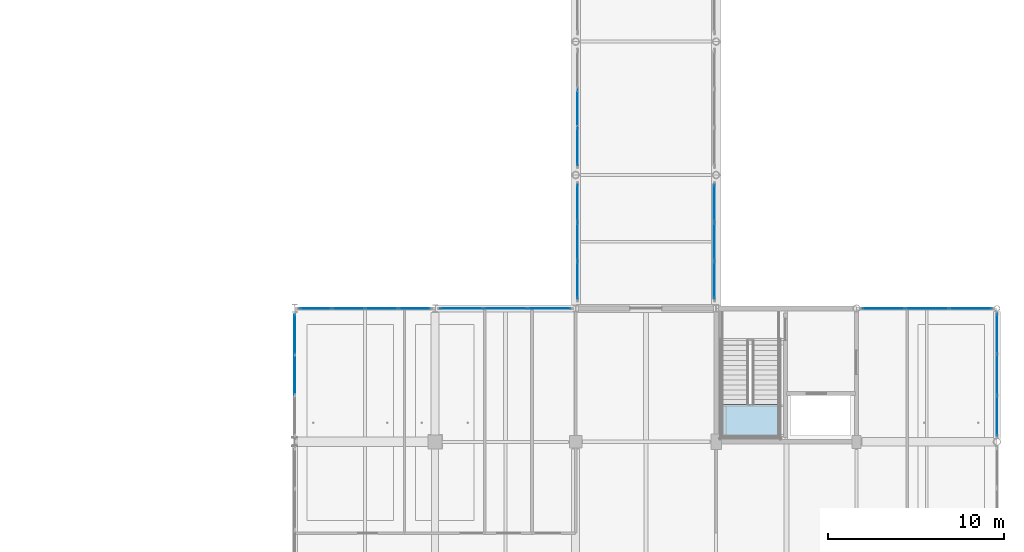
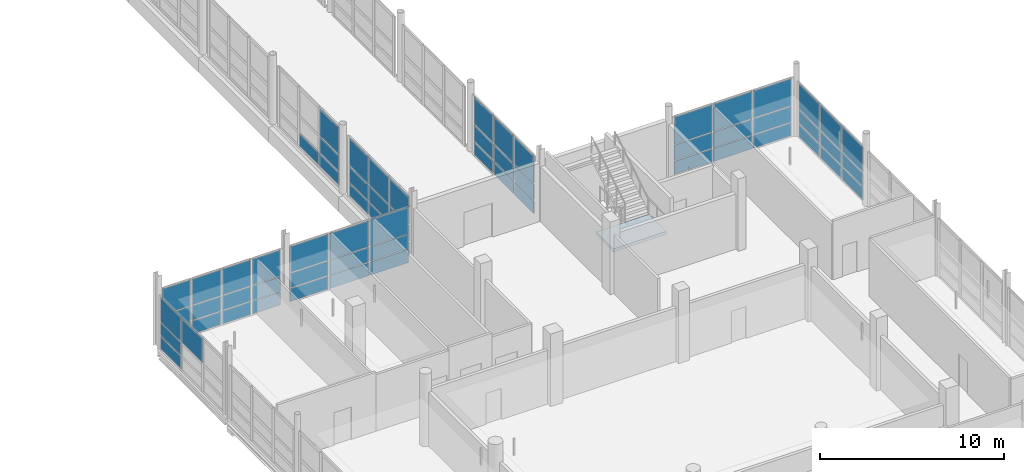
# One storey, part 79 of 141: 65 plates, 1 slab, 9 elements without a shape of their own.
"""IFC4 building model written with IfcOpenShell, lengths in metres."""

from ifc_helpers import new_model, si_unit, direction, frame, origin, origin_2d, place, context, subcontext, project, spatial, polyline, rectangle, outline, extrude, material, layer, layer_set, type_object, element, aggregate, save


model = new_model("IFC4")

# Units and contexts
model_context = context("Model", 3, precision=1e-05, world=origin(), true_north=direction((0.0, 1.0)))
body_context = subcontext(model_context, "Body", "Model", "MODEL_VIEW")
ifc_project = project(units=[si_unit("LENGTHUNIT", "METRE"), si_unit("AREAUNIT", "SQUARE_METRE"), si_unit("VOLUMEUNIT", "CUBIC_METRE"), si_unit("PLANEANGLEUNIT", "RADIAN"), si_unit("MASSUNIT", "GRAM", prefix="KILO")], contexts=[model_context])

# Site, building, storey
site_placement = place(None, origin())
site = spatial("IfcSite", under=ifc_project, at=site_placement, CompositionType="ELEMENT")
building_placement = place(site_placement, origin())
building = spatial("IfcBuilding", under=site, at=building_placement, Name="Khelvaren Railside Concert Hall", CompositionType="ELEMENT")
storey_placement = place(building_placement, frame((0.0, 0.0, 10.199951171875)))
storey = spatial("IfcBuildingStorey", under=building, at=storey_placement, Name="L02", CompositionType="ELEMENT", Elevation=10.199951171875)

# Curtain wall, plates
ifc_material_1 = material(Name="Double-glazed clear foyer glass", Category="glass")
curtain_wall_type_1 = type_object("IfcCurtainWallType", Name="CW64", PredefinedType="USERDEFINED", material=ifc_material_1)
curtain_wall_1_placement = place(storey_placement, origin())
curtain_wall_1 = element("IfcCurtainWall", 1, at=curtain_wall_1_placement, inside=storey, type_object=curtain_wall_type_1, Name="Unitised Curtain Wall CW-V2-L02-N-144", ObjectType="UNITISED CURTAIN WALL", PredefinedType="USERDEFINED")
ifc_layer_1 = layer(ifc_material_1, 0.0439453125)
ifc_layer_set_1 = layer_set([ifc_layer_1], Name="Double-glazed clear foyer glass")
plate_type_1 = type_object("IfcPlateType", Name="CWP33", PredefinedType="CURTAIN_PANEL", material=ifc_layer_set_1)
plate_1_placement = place(storey_placement, frame((145.185546875, 38.0, 0.06494140625), z_axis=(0.0, 0.0, 1.0), x_axis=(1.0, 0.0, 0.0)))
plate_1 = element("IfcPlate", 2, at=plate_1_placement, type_object=plate_type_1, Name="CW64 panel 1.1", PredefinedType="CURTAIN_PANEL", context=body_context, shape_type="SweptSolid", body=[
    extrude(rectangle(XDim=1.7763671875, YDim=0.0439453125, at=origin_2d()), origin(), (0.0, 0.0, 1.0), 0.8525390625),
])
plate_2_placement = place(storey_placement, frame((145.185546875, 38.0, 0.982421875), z_axis=(0.0, 0.0, 1.0), x_axis=(1.0, 0.0, 0.0)))
plate_2 = element("IfcPlate", 3, at=plate_2_placement, type_object=plate_type_1, Name="CW64 panel 1.2", PredefinedType="CURTAIN_PANEL", context=body_context, shape_type="SweptSolid", body=[
    extrude(rectangle(XDim=1.7763671875, YDim=0.0439453125, at=origin_2d()), origin(), (0.0, 0.0, 1.0), 0.940185546875),
])
plate_3_placement = place(storey_placement, frame((145.185546875, 38.0, 1.98779296875), z_axis=(0.0, 0.0, 1.0), x_axis=(1.0, 0.0, 0.0)))
plate_3 = element("IfcPlate", 4, at=plate_3_placement, type_object=plate_type_1, Name="CW64 panel 1.3", PredefinedType="CURTAIN_PANEL", context=body_context, shape_type="SweptSolid", body=[
    extrude(rectangle(XDim=1.7763671875, YDim=0.0439453125, at=origin_2d()), origin(), (0.0, 0.0, 1.0), 1.707275390625),
])
plate_4_placement = place(storey_placement, frame((147.0556640625, 38.0, 0.06494140625), z_axis=(0.0, 0.0, 1.0), x_axis=(1.0, 0.0, 0.0)))
plate_4 = element("IfcPlate", 5, at=plate_4_placement, type_object=plate_type_1, Name="CW64 panel 2.1", PredefinedType="CURTAIN_PANEL", context=body_context, shape_type="SweptSolid", body=[
    extrude(rectangle(XDim=1.813720703125, YDim=0.0439453125, at=origin_2d()), origin(), (0.0, 0.0, 1.0), 0.8525390625),
])
plate_5_placement = place(storey_placement, frame((147.0556640625, 38.0, 0.982421875), z_axis=(0.0, 0.0, 1.0), x_axis=(1.0, 0.0, 0.0)))
plate_5 = element("IfcPlate", 6, at=plate_5_placement, type_object=plate_type_1, Name="CW64 panel 2.2", PredefinedType="CURTAIN_PANEL", context=body_context, shape_type="SweptSolid", body=[
    extrude(rectangle(XDim=1.813720703125, YDim=0.0439453125, at=origin_2d()), origin(), (0.0, 0.0, 1.0), 0.940185546875),
])
plate_6_placement = place(storey_placement, frame((147.0556640625, 38.0, 1.98779296875), z_axis=(0.0, 0.0, 1.0), x_axis=(1.0, 0.0, 0.0)))
plate_6 = element("IfcPlate", 7, at=plate_6_placement, type_object=plate_type_1, Name="CW64 panel 2.3", PredefinedType="CURTAIN_PANEL", context=body_context, shape_type="SweptSolid", body=[
    extrude(rectangle(XDim=1.813720703125, YDim=0.0439453125, at=origin_2d()), origin(), (0.0, 0.0, 1.0), 1.707275390625),
])
plate_7_placement = place(storey_placement, frame((148.9443359375, 38.0, 0.06494140625), z_axis=(0.0, 0.0, 1.0), x_axis=(1.0, 0.0, 0.0)))
plate_7 = element("IfcPlate", 8, at=plate_7_placement, type_object=plate_type_1, Name="CW64 panel 3.1", PredefinedType="CURTAIN_PANEL", context=body_context, shape_type="SweptSolid", body=[
    extrude(rectangle(XDim=1.813720703125, YDim=0.0439453125, at=origin_2d()), origin(), (0.0, 0.0, 1.0), 0.8525390625),
])
plate_8_placement = place(storey_placement, frame((148.9443359375, 38.0, 0.982421875), z_axis=(0.0, 0.0, 1.0), x_axis=(1.0, 0.0, 0.0)))
plate_8 = element("IfcPlate", 9, at=plate_8_placement, type_object=plate_type_1, Name="CW64 panel 3.2", PredefinedType="CURTAIN_PANEL", context=body_context, shape_type="SweptSolid", body=[
    extrude(rectangle(XDim=1.813720703125, YDim=0.0439453125, at=origin_2d()), origin(), (0.0, 0.0, 1.0), 0.940185546875),
])
plate_9_placement = place(storey_placement, frame((148.9443359375, 38.0, 1.98779296875), z_axis=(0.0, 0.0, 1.0), x_axis=(1.0, 0.0, 0.0)))
plate_9 = element("IfcPlate", 10, at=plate_9_placement, type_object=plate_type_1, Name="CW64 panel 3.3", PredefinedType="CURTAIN_PANEL", context=body_context, shape_type="SweptSolid", body=[
    extrude(rectangle(XDim=1.813720703125, YDim=0.0439453125, at=origin_2d()), origin(), (0.0, 0.0, 1.0), 1.707275390625),
])
plate_10_placement = place(storey_placement, frame((150.814453125, 38.0, 0.06494140625), z_axis=(0.0, 0.0, 1.0), x_axis=(1.0, 0.0, 0.0)))
plate_10 = element("IfcPlate", 11, at=plate_10_placement, type_object=plate_type_1, Name="CW64 panel 4.1", PredefinedType="CURTAIN_PANEL", context=body_context, shape_type="SweptSolid", body=[
    extrude(rectangle(XDim=1.7763671875, YDim=0.0439453125, at=origin_2d()), origin(), (0.0, 0.0, 1.0), 0.8525390625),
])
plate_11_placement = place(storey_placement, frame((150.814453125, 38.0, 0.982421875), z_axis=(0.0, 0.0, 1.0), x_axis=(1.0, 0.0, 0.0)))
plate_11 = element("IfcPlate", 12, at=plate_11_placement, type_object=plate_type_1, Name="CW64 panel 4.2", PredefinedType="CURTAIN_PANEL", context=body_context, shape_type="SweptSolid", body=[
    extrude(rectangle(XDim=1.7763671875, YDim=0.0439453125, at=origin_2d()), origin(), (0.0, 0.0, 1.0), 0.940185546875),
])
plate_12_placement = place(storey_placement, frame((150.814453125, 38.0, 1.98779296875), z_axis=(0.0, 0.0, 1.0), x_axis=(1.0, 0.0, 0.0)))
plate_12 = element("IfcPlate", 13, at=plate_12_placement, type_object=plate_type_1, Name="CW64 panel 4.3", PredefinedType="CURTAIN_PANEL", context=body_context, shape_type="SweptSolid", body=[
    extrude(rectangle(XDim=1.7763671875, YDim=0.0439453125, at=origin_2d()), origin(), (0.0, 0.0, 1.0), 1.707275390625),
])
aggregate(curtain_wall_1, [plate_1, plate_2, plate_3, plate_4, plate_5, plate_6, plate_7, plate_8, plate_9, plate_10, plate_11, plate_12])

curtain_wall_type_2 = type_object("IfcCurtainWallType", Name="CW68", PredefinedType="USERDEFINED", material=ifc_material_1)
curtain_wall_2_placement = place(storey_placement, origin())
curtain_wall_2 = element("IfcCurtainWall", 14, at=curtain_wall_2_placement, inside=storey, type_object=curtain_wall_type_2, Name="Unitised Curtain Wall CW-V2-L02-N-152", ObjectType="UNITISED CURTAIN WALL", PredefinedType="USERDEFINED")
plate_13_placement = place(storey_placement, frame((153.50048828125, 38.0, 0.06494140625), z_axis=(0.0, 0.0, 1.0), x_axis=(1.0, 0.0, 0.0)))
plate_13 = element("IfcPlate", 15, at=plate_13_placement, type_object=plate_type_1, Name="CW68 panel 1.1", PredefinedType="CURTAIN_PANEL", context=body_context, shape_type="SweptSolid", body=[
    extrude(rectangle(XDim=2.40576171875, YDim=0.0439453125, at=origin_2d()), origin(), (0.0, 0.0, 1.0), 0.8525390625),
])
plate_14_placement = place(storey_placement, frame((153.50048828125, 38.0, 0.982421875), z_axis=(0.0, 0.0, 1.0), x_axis=(1.0, 0.0, 0.0)))
plate_14 = element("IfcPlate", 16, at=plate_14_placement, type_object=plate_type_1, Name="CW68 panel 1.2", PredefinedType="CURTAIN_PANEL", context=body_context, shape_type="SweptSolid", body=[
    extrude(rectangle(XDim=2.40576171875, YDim=0.0439453125, at=origin_2d()), origin(), (0.0, 0.0, 1.0), 0.940185546875),
])
plate_15_placement = place(storey_placement, frame((153.50048828125, 38.0, 1.98779296875), z_axis=(0.0, 0.0, 1.0), x_axis=(1.0, 0.0, 0.0)))
plate_15 = element("IfcPlate", 17, at=plate_15_placement, type_object=plate_type_1, Name="CW68 panel 1.3", PredefinedType="CURTAIN_PANEL", context=body_context, shape_type="SweptSolid", body=[
    extrude(rectangle(XDim=2.40576171875, YDim=0.0439453125, at=origin_2d()), origin(), (0.0, 0.0, 1.0), 1.707275390625),
])
plate_16_placement = place(storey_placement, frame((156.0, 38.0, 0.06494140625), z_axis=(0.0, 0.0, 1.0), x_axis=(1.0, 0.0, 0.0)))
plate_16 = element("IfcPlate", 18, at=plate_16_placement, type_object=plate_type_1, Name="CW68 panel 2.1", PredefinedType="CURTAIN_PANEL", context=body_context, shape_type="SweptSolid", body=[
    extrude(rectangle(XDim=2.443359375, YDim=0.0439453125, at=origin_2d()), origin(), (0.0, 0.0, 1.0), 0.8525390625),
])
plate_17_placement = place(storey_placement, frame((156.0, 38.0, 0.982421875), z_axis=(0.0, 0.0, 1.0), x_axis=(1.0, 0.0, 0.0)))
plate_17 = element("IfcPlate", 19, at=plate_17_placement, type_object=plate_type_1, Name="CW68 panel 2.2", PredefinedType="CURTAIN_PANEL", context=body_context, shape_type="SweptSolid", body=[
    extrude(rectangle(XDim=2.443359375, YDim=0.0439453125, at=origin_2d()), origin(), (0.0, 0.0, 1.0), 0.940185546875),
])
plate_18_placement = place(storey_placement, frame((156.0, 38.0, 1.98779296875), z_axis=(0.0, 0.0, 1.0), x_axis=(1.0, 0.0, 0.0)))
plate_18 = element("IfcPlate", 20, at=plate_18_placement, type_object=plate_type_1, Name="CW68 panel 2.3", PredefinedType="CURTAIN_PANEL", context=body_context, shape_type="SweptSolid", body=[
    extrude(rectangle(XDim=2.443359375, YDim=0.0439453125, at=origin_2d()), origin(), (0.0, 0.0, 1.0), 1.707275390625),
])
plate_19_placement = place(storey_placement, frame((158.49951171875, 38.0, 0.06494140625), z_axis=(0.0, 0.0, 1.0), x_axis=(1.0, 0.0, 0.0)))
plate_19 = element("IfcPlate", 21, at=plate_19_placement, type_object=plate_type_1, Name="CW68 panel 3.1", PredefinedType="CURTAIN_PANEL", context=body_context, shape_type="SweptSolid", body=[
    extrude(rectangle(XDim=2.40576171875, YDim=0.0439453125, at=origin_2d()), origin(), (0.0, 0.0, 1.0), 0.8525390625),
])
plate_20_placement = place(storey_placement, frame((158.49951171875, 38.0, 0.982421875), z_axis=(0.0, 0.0, 1.0), x_axis=(1.0, 0.0, 0.0)))
plate_20 = element("IfcPlate", 22, at=plate_20_placement, type_object=plate_type_1, Name="CW68 panel 3.2", PredefinedType="CURTAIN_PANEL", context=body_context, shape_type="SweptSolid", body=[
    extrude(rectangle(XDim=2.40576171875, YDim=0.0439453125, at=origin_2d()), origin(), (0.0, 0.0, 1.0), 0.940185546875),
])
plate_21_placement = place(storey_placement, frame((158.49951171875, 38.0, 1.98779296875), z_axis=(0.0, 0.0, 1.0), x_axis=(1.0, 0.0, 0.0)))
plate_21 = element("IfcPlate", 23, at=plate_21_placement, type_object=plate_type_1, Name="CW68 panel 3.3", PredefinedType="CURTAIN_PANEL", context=body_context, shape_type="SweptSolid", body=[
    extrude(rectangle(XDim=2.40576171875, YDim=0.0439453125, at=origin_2d()), origin(), (0.0, 0.0, 1.0), 1.707275390625),
])
aggregate(curtain_wall_2, [plate_13, plate_14, plate_15, plate_16, plate_17, plate_18, plate_19, plate_20, plate_21])

curtain_wall_type_3 = type_object("IfcCurtainWallType", Name="CW70", PredefinedType="USERDEFINED", material=ifc_material_1)
curtain_wall_3_placement = place(storey_placement, origin())
curtain_wall_3 = element("IfcCurtainWall", 24, at=curtain_wall_3_placement, inside=storey, type_object=curtain_wall_type_3, Name="Unitised Curtain Wall CW-V2-L02-N-176", ObjectType="UNITISED CURTAIN WALL", PredefinedType="USERDEFINED")
plate_22_placement = place(storey_placement, frame((177.542724609375, 38.0, 0.06494140625), z_axis=(0.0, 0.0, 1.0), x_axis=(1.0, 0.0, 0.0)))
plate_22 = element("IfcPlate", 25, at=plate_22_placement, type_object=plate_type_1, Name="CW70 panel 1.1", PredefinedType="CURTAIN_PANEL", context=body_context, shape_type="SweptSolid", body=[
    extrude(rectangle(XDim=2.384033203125, YDim=0.0439453125, at=origin_2d()), origin(), (0.0, 0.0, 1.0), 0.8525390625),
])
plate_23_placement = place(storey_placement, frame((177.542724609375, 38.0, 0.982421875), z_axis=(0.0, 0.0, 1.0), x_axis=(1.0, 0.0, 0.0)))
plate_23 = element("IfcPlate", 26, at=plate_23_placement, type_object=plate_type_1, Name="CW70 panel 1.2", PredefinedType="CURTAIN_PANEL", context=body_context, shape_type="SweptSolid", body=[
    extrude(rectangle(XDim=2.384033203125, YDim=0.0439453125, at=origin_2d()), origin(), (0.0, 0.0, 1.0), 1.018310546875),
])
plate_24_placement = place(storey_placement, frame((177.542724609375, 38.0, 2.065673828125), z_axis=(0.0, 0.0, 1.0), x_axis=(1.0, 0.0, 0.0)))
plate_24 = element("IfcPlate", 27, at=plate_24_placement, type_object=plate_type_1, Name="CW70 panel 1.3", PredefinedType="CURTAIN_PANEL", context=body_context, shape_type="SweptSolid", body=[
    extrude(rectangle(XDim=2.384033203125, YDim=0.0439453125, at=origin_2d()), origin(), (0.0, 0.0, 1.0), 1.779296875),
])
plate_25_placement = place(storey_placement, frame((180.0205078125, 38.0, 0.06494140625), z_axis=(0.0, 0.0, 1.0), x_axis=(1.0, 0.0, 0.0)))
plate_25 = element("IfcPlate", 28, at=plate_25_placement, type_object=plate_type_1, Name="CW70 panel 2.1", PredefinedType="CURTAIN_PANEL", context=body_context, shape_type="SweptSolid", body=[
    extrude(rectangle(XDim=2.421630859375, YDim=0.0439453125, at=origin_2d()), origin(), (0.0, 0.0, 1.0), 0.8525390625),
])
plate_26_placement = place(storey_placement, frame((180.0205078125, 38.0, 0.982421875), z_axis=(0.0, 0.0, 1.0), x_axis=(1.0, 0.0, 0.0)))
plate_26 = element("IfcPlate", 29, at=plate_26_placement, type_object=plate_type_1, Name="CW70 panel 2.2", PredefinedType="CURTAIN_PANEL", context=body_context, shape_type="SweptSolid", body=[
    extrude(rectangle(XDim=2.421630859375, YDim=0.0439453125, at=origin_2d()), origin(), (0.0, 0.0, 1.0), 1.018310546875),
])
plate_27_placement = place(storey_placement, frame((180.0205078125, 38.0, 2.065673828125), z_axis=(0.0, 0.0, 1.0), x_axis=(1.0, 0.0, 0.0)))
plate_27 = element("IfcPlate", 30, at=plate_27_placement, type_object=plate_type_1, Name="CW70 panel 2.3", PredefinedType="CURTAIN_PANEL", context=body_context, shape_type="SweptSolid", body=[
    extrude(rectangle(XDim=2.421630859375, YDim=0.0439453125, at=origin_2d()), origin(), (0.0, 0.0, 1.0), 1.779296875),
])
plate_28_placement = place(storey_placement, frame((182.49853515625, 38.0, 0.06494140625), z_axis=(0.0, 0.0, 1.0), x_axis=(1.0, 0.0, 0.0)))
plate_28 = element("IfcPlate", 31, at=plate_28_placement, type_object=plate_type_1, Name="CW70 panel 3.1", PredefinedType="CURTAIN_PANEL", context=body_context, shape_type="SweptSolid", body=[
    extrude(rectangle(XDim=2.384033203125, YDim=0.0439453125, at=origin_2d()), origin(), (0.0, 0.0, 1.0), 0.8525390625),
])
plate_29_placement = place(storey_placement, frame((182.49853515625, 38.0, 0.982421875), z_axis=(0.0, 0.0, 1.0), x_axis=(1.0, 0.0, 0.0)))
plate_29 = element("IfcPlate", 32, at=plate_29_placement, type_object=plate_type_1, Name="CW70 panel 3.2", PredefinedType="CURTAIN_PANEL", context=body_context, shape_type="SweptSolid", body=[
    extrude(rectangle(XDim=2.384033203125, YDim=0.0439453125, at=origin_2d()), origin(), (0.0, 0.0, 1.0), 1.018310546875),
])
plate_30_placement = place(storey_placement, frame((182.49853515625, 38.0, 2.065673828125), z_axis=(0.0, 0.0, 1.0), x_axis=(1.0, 0.0, 0.0)))
plate_30 = element("IfcPlate", 33, at=plate_30_placement, type_object=plate_type_1, Name="CW70 panel 3.3", PredefinedType="CURTAIN_PANEL", context=body_context, shape_type="SweptSolid", body=[
    extrude(rectangle(XDim=2.384033203125, YDim=0.0439453125, at=origin_2d()), origin(), (0.0, 0.0, 1.0), 1.779296875),
])
aggregate(curtain_wall_3, [plate_22, plate_23, plate_24, plate_25, plate_26, plate_27, plate_28, plate_29, plate_30])

ifc_material_2 = material(Name="Triple-glazed solar-control glass", Category="glass")
curtain_wall_type_4 = type_object("IfcCurtainWallType", Name="CW88", PredefinedType="USERDEFINED", material=ifc_material_2)
curtain_wall_4_placement = place(storey_placement, origin())
curtain_wall_4 = element("IfcCurtainWall", 34, at=curtain_wall_4_placement, inside=storey, type_object=curtain_wall_type_4, Name="Unitised Curtain Wall CW-V2-L02-W-30", ObjectType="UNITISED CURTAIN WALL", PredefinedType="USERDEFINED")
ifc_layer_2 = layer(ifc_material_2, 0.035888671875)
ifc_layer_set_2 = layer_set([ifc_layer_2], Name="Triple-glazed solar-control glass")
plate_type_2 = type_object("IfcPlateType", Name="CWP53", PredefinedType="CURTAIN_PANEL", material=ifc_layer_set_2)
plate_31_placement = place(storey_placement, frame((144.0, 34.21240234375, 1.888916015625), z_axis=(0.0, 0.0, 1.0), x_axis=(0.0, 1.0, 0.0)))
plate_31 = element("IfcPlate", 35, at=plate_31_placement, type_object=plate_type_2, Name="CW88 panel 2.3", PredefinedType="CURTAIN_PANEL", context=body_context, shape_type="SweptSolid", body=[
    extrude(rectangle(XDim=2.251708984375, YDim=0.035888671875, at=origin_2d()), origin(), (0.0, 0.0, 1.0), 1.59619140625),
])
plate_32_placement = place(storey_placement, frame((144.0, 36.5205078125, 0.0751953125), z_axis=(0.0, 0.0, 1.0), x_axis=(0.0, 1.0, 0.0)))
plate_32 = element("IfcPlate", 36, at=plate_32_placement, type_object=plate_type_2, Name="CW88 panel 3.1", PredefinedType="CURTAIN_PANEL", context=body_context, shape_type="SweptSolid", body=[
    extrude(rectangle(XDim=2.214111328125, YDim=0.035888671875, at=origin_2d()), origin(), (0.0, 0.0, 1.0), 0.83740234375),
])
plate_33_placement = place(storey_placement, frame((144.0, 36.5205078125, 0.987548828125), z_axis=(0.0, 0.0, 1.0), x_axis=(0.0, 1.0, 0.0)))
plate_33 = element("IfcPlate", 37, at=plate_33_placement, type_object=plate_type_2, Name="CW88 panel 3.2", PredefinedType="CURTAIN_PANEL", context=body_context, shape_type="SweptSolid", body=[
    extrude(rectangle(XDim=2.214111328125, YDim=0.035888671875, at=origin_2d()), origin(), (0.0, 0.0, 1.0), 0.826171875),
])
plate_34_placement = place(storey_placement, frame((144.0, 36.5205078125, 1.888916015625), z_axis=(0.0, 0.0, 1.0), x_axis=(0.0, 1.0, 0.0)))
plate_34 = element("IfcPlate", 38, at=plate_34_placement, type_object=plate_type_2, Name="CW88 panel 3.3", PredefinedType="CURTAIN_PANEL", context=body_context, shape_type="SweptSolid", body=[
    extrude(rectangle(XDim=2.214111328125, YDim=0.035888671875, at=origin_2d()), origin(), (0.0, 0.0, 1.0), 1.59619140625),
])
aggregate(curtain_wall_4, [plate_31, plate_32, plate_33, plate_34])

curtain_wall_5_placement = place(storey_placement, origin())
curtain_wall_5 = element("IfcCurtainWall", 39, at=curtain_wall_5_placement, inside=storey, type_object=curtain_wall_type_4, Name="Unitised Curtain Wall CW-V2-L02-E-30", ObjectType="UNITISED CURTAIN WALL", PredefinedType="USERDEFINED")
plate_35_placement = place(storey_placement, frame((184.0, 36.565185546875, 0.0751953125), z_axis=(0.0, 0.0, 1.0), x_axis=(0.0, -1.0, 0.0)))
plate_35 = element("IfcPlate", 40, at=plate_35_placement, type_object=plate_type_2, Name="CW88 panel 1.1", PredefinedType="CURTAIN_PANEL", context=body_context, shape_type="SweptSolid", body=[
    extrude(rectangle(XDim=2.250732421875, YDim=0.035888671875, at=origin_2d()), origin(), (0.0, 0.0, 1.0), 0.83740234375),
])
plate_36_placement = place(storey_placement, frame((184.0, 36.565185546875, 0.98779296875), z_axis=(0.0, 0.0, 1.0), x_axis=(0.0, -1.0, 0.0)))
plate_36 = element("IfcPlate", 41, at=plate_36_placement, type_object=plate_type_2, Name="CW88 panel 1.2", PredefinedType="CURTAIN_PANEL", context=body_context, shape_type="SweptSolid", body=[
    extrude(rectangle(XDim=2.250732421875, YDim=0.035888671875, at=origin_2d()), origin(), (0.0, 0.0, 1.0), 0.878173828125),
])
plate_37_placement = place(storey_placement, frame((184.0, 36.565185546875, 1.94091796875), z_axis=(0.0, 0.0, 1.0), x_axis=(0.0, -1.0, 0.0)))
plate_37 = element("IfcPlate", 42, at=plate_37_placement, type_object=plate_type_2, Name="CW88 panel 1.3", PredefinedType="CURTAIN_PANEL", context=body_context, shape_type="SweptSolid", body=[
    extrude(rectangle(XDim=2.250732421875, YDim=0.035888671875, at=origin_2d()), origin(), (0.0, 0.0, 1.0), 1.644287109375),
])
plate_38_placement = place(storey_placement, frame((184.0, 34.220703125, 0.0751953125), z_axis=(0.0, 0.0, 1.0), x_axis=(0.0, -1.0, 0.0)))
plate_38 = element("IfcPlate", 43, at=plate_38_placement, type_object=plate_type_2, Name="CW88 panel 2.1", PredefinedType="CURTAIN_PANEL", context=body_context, shape_type="SweptSolid", body=[
    extrude(rectangle(XDim=2.288330078125, YDim=0.035888671875, at=origin_2d()), origin(), (0.0, 0.0, 1.0), 0.83740234375),
])
plate_39_placement = place(storey_placement, frame((184.0, 34.220703125, 0.98779296875), z_axis=(0.0, 0.0, 1.0), x_axis=(0.0, -1.0, 0.0)))
plate_39 = element("IfcPlate", 44, at=plate_39_placement, type_object=plate_type_2, Name="CW88 panel 2.2", PredefinedType="CURTAIN_PANEL", context=body_context, shape_type="SweptSolid", body=[
    extrude(rectangle(XDim=2.288330078125, YDim=0.035888671875, at=origin_2d()), origin(), (0.0, 0.0, 1.0), 0.878173828125),
])
plate_40_placement = place(storey_placement, frame((184.0, 34.220703125, 1.94091796875), z_axis=(0.0, 0.0, 1.0), x_axis=(0.0, -1.0, 0.0)))
plate_40 = element("IfcPlate", 45, at=plate_40_placement, type_object=plate_type_2, Name="CW88 panel 2.3", PredefinedType="CURTAIN_PANEL", context=body_context, shape_type="SweptSolid", body=[
    extrude(rectangle(XDim=2.288330078125, YDim=0.035888671875, at=origin_2d()), origin(), (0.0, 0.0, 1.0), 1.644287109375),
])
plate_41_placement = place(storey_placement, frame((184.0, 31.8759765625, 0.0751953125), z_axis=(0.0, 0.0, 1.0), x_axis=(0.0, -1.0, 0.0)))
plate_41 = element("IfcPlate", 46, at=plate_41_placement, type_object=plate_type_2, Name="CW88 panel 3.1", PredefinedType="CURTAIN_PANEL", context=body_context, shape_type="SweptSolid", body=[
    extrude(rectangle(XDim=2.250732421875, YDim=0.035888671875, at=origin_2d()), origin(), (0.0, 0.0, 1.0), 0.83740234375),
])
plate_42_placement = place(storey_placement, frame((184.0, 31.8759765625, 0.98779296875), z_axis=(0.0, 0.0, 1.0), x_axis=(0.0, -1.0, 0.0)))
plate_42 = element("IfcPlate", 47, at=plate_42_placement, type_object=plate_type_2, Name="CW88 panel 3.2", PredefinedType="CURTAIN_PANEL", context=body_context, shape_type="SweptSolid", body=[
    extrude(rectangle(XDim=2.250732421875, YDim=0.035888671875, at=origin_2d()), origin(), (0.0, 0.0, 1.0), 0.878173828125),
])
plate_43_placement = place(storey_placement, frame((184.0, 31.8759765625, 1.94091796875), z_axis=(0.0, 0.0, 1.0), x_axis=(0.0, -1.0, 0.0)))
plate_43 = element("IfcPlate", 48, at=plate_43_placement, type_object=plate_type_2, Name="CW88 panel 3.3", PredefinedType="CURTAIN_PANEL", context=body_context, shape_type="SweptSolid", body=[
    extrude(rectangle(XDim=2.250732421875, YDim=0.035888671875, at=origin_2d()), origin(), (0.0, 0.0, 1.0), 1.644287109375),
])
aggregate(curtain_wall_5, [plate_35, plate_36, plate_37, plate_38, plate_39, plate_40, plate_41, plate_42, plate_43])

ifc_material_3 = material(Name="Acoustic laminated crystal facade glass", Category="glass")
curtain_wall_type_5 = type_object("IfcCurtainWallType", Name="CW78", PredefinedType="USERDEFINED", material=ifc_material_3)
curtain_wall_6_placement = place(storey_placement, origin())
curtain_wall_6 = element("IfcCurtainWall", 49, at=curtain_wall_6_placement, inside=storey, type_object=curtain_wall_type_5, Name="Unitised Curtain Wall CW-LB4-L02-W1", ObjectType="UNITISED CURTAIN WALL", PredefinedType="USERDEFINED")
ifc_layer_3 = layer(ifc_material_3, 0.0400390625)
ifc_layer_set_3 = layer_set([ifc_layer_3], Name="Acoustic laminated crystal facade glass")
plate_type_3 = type_object("IfcPlateType", Name="CWP77", PredefinedType="CURTAIN_PANEL", material=ifc_layer_set_3)
plate_44_placement = place(storey_placement, frame((160.10009765625, 39.60791015625, 0.0849609375), z_axis=(0.0, 0.0, 1.0), x_axis=(0.0, 1.0, 0.0)))
plate_44 = element("IfcPlate", 50, at=plate_44_placement, type_object=plate_type_3, Name="CW78 panel 1.1", PredefinedType="CURTAIN_PANEL", context=body_context, shape_type="SweptSolid", body=[
    extrude(rectangle(XDim=2.0859375, YDim=0.0400390625, at=origin_2d()), origin(), (0.0, 0.0, 1.0), 0.822509765625),
])
plate_45_placement = place(storey_placement, frame((160.10009765625, 39.60791015625, 0.992431640625), z_axis=(0.0, 0.0, 1.0), x_axis=(0.0, 1.0, 0.0)))
plate_45 = element("IfcPlate", 51, at=plate_45_placement, type_object=plate_type_3, Name="CW78 panel 1.2", PredefinedType="CURTAIN_PANEL", context=body_context, shape_type="SweptSolid", body=[
    extrude(rectangle(XDim=2.0859375, YDim=0.0400390625, at=origin_2d()), origin(), (0.0, 0.0, 1.0), 1.03466796875),
])
plate_46_placement = place(storey_placement, frame((160.10009765625, 39.60791015625, 2.1123046875), z_axis=(0.0, 0.0, 1.0), x_axis=(0.0, 1.0, 0.0)))
plate_46 = element("IfcPlate", 52, at=plate_46_placement, type_object=plate_type_3, Name="CW78 panel 1.3", PredefinedType="CURTAIN_PANEL", context=body_context, shape_type="SweptSolid", body=[
    extrude(rectangle(XDim=2.0859375, YDim=0.0400390625, at=origin_2d()), origin(), (0.0, 0.0, 1.0), 1.782958984375),
])
plate_47_placement = place(storey_placement, frame((160.10009765625, 41.800048828125, 0.0849609375), z_axis=(0.0, 0.0, 1.0), x_axis=(0.0, 1.0, 0.0)))
plate_47 = element("IfcPlate", 53, at=plate_47_placement, type_object=plate_type_3, Name="CW78 panel 2.1", PredefinedType="CURTAIN_PANEL", context=body_context, shape_type="SweptSolid", body=[
    extrude(rectangle(XDim=2.12841796875, YDim=0.0400390625, at=origin_2d()), origin(), (0.0, 0.0, 1.0), 0.822509765625),
])
plate_48_placement = place(storey_placement, frame((160.10009765625, 41.800048828125, 0.992431640625), z_axis=(0.0, 0.0, 1.0), x_axis=(0.0, 1.0, 0.0)))
plate_48 = element("IfcPlate", 54, at=plate_48_placement, type_object=plate_type_3, Name="CW78 panel 2.2", PredefinedType="CURTAIN_PANEL", context=body_context, shape_type="SweptSolid", body=[
    extrude(rectangle(XDim=2.12841796875, YDim=0.0400390625, at=origin_2d()), origin(), (0.0, 0.0, 1.0), 1.03466796875),
])
plate_49_placement = place(storey_placement, frame((160.10009765625, 41.800048828125, 2.1123046875), z_axis=(0.0, 0.0, 1.0), x_axis=(0.0, 1.0, 0.0)))
plate_49 = element("IfcPlate", 55, at=plate_49_placement, type_object=plate_type_3, Name="CW78 panel 2.3", PredefinedType="CURTAIN_PANEL", context=body_context, shape_type="SweptSolid", body=[
    extrude(rectangle(XDim=2.12841796875, YDim=0.0400390625, at=origin_2d()), origin(), (0.0, 0.0, 1.0), 1.782958984375),
])
plate_50_placement = place(storey_placement, frame((160.10009765625, 43.9921875, 0.0849609375), z_axis=(0.0, 0.0, 1.0), x_axis=(0.0, 1.0, 0.0)))
plate_50 = element("IfcPlate", 56, at=plate_50_placement, type_object=plate_type_3, Name="CW78 panel 3.1", PredefinedType="CURTAIN_PANEL", context=body_context, shape_type="SweptSolid", body=[
    extrude(rectangle(XDim=2.0859375, YDim=0.0400390625, at=origin_2d()), origin(), (0.0, 0.0, 1.0), 0.822509765625),
])
plate_51_placement = place(storey_placement, frame((160.10009765625, 43.9921875, 0.992431640625), z_axis=(0.0, 0.0, 1.0), x_axis=(0.0, 1.0, 0.0)))
plate_51 = element("IfcPlate", 57, at=plate_51_placement, type_object=plate_type_3, Name="CW78 panel 3.2", PredefinedType="CURTAIN_PANEL", context=body_context, shape_type="SweptSolid", body=[
    extrude(rectangle(XDim=2.0859375, YDim=0.0400390625, at=origin_2d()), origin(), (0.0, 0.0, 1.0), 1.03466796875),
])
plate_52_placement = place(storey_placement, frame((160.10009765625, 43.9921875, 2.1123046875), z_axis=(0.0, 0.0, 1.0), x_axis=(0.0, 1.0, 0.0)))
plate_52 = element("IfcPlate", 58, at=plate_52_placement, type_object=plate_type_3, Name="CW78 panel 3.3", PredefinedType="CURTAIN_PANEL", context=body_context, shape_type="SweptSolid", body=[
    extrude(rectangle(XDim=2.0859375, YDim=0.0400390625, at=origin_2d()), origin(), (0.0, 0.0, 1.0), 1.782958984375),
])
aggregate(curtain_wall_6, [plate_44, plate_45, plate_46, plate_47, plate_48, plate_49, plate_50, plate_51, plate_52])

curtain_wall_7_placement = place(storey_placement, origin())
curtain_wall_7 = element("IfcCurtainWall", 59, at=curtain_wall_7_placement, inside=storey, type_object=curtain_wall_type_5, Name="Unitised Curtain Wall CW-LB4-L02-E1", ObjectType="UNITISED CURTAIN WALL", PredefinedType="USERDEFINED")
plate_53_placement = place(storey_placement, frame((167.89990234375, 43.9921875, 0.0849609375), z_axis=(0.0, 0.0, 1.0), x_axis=(0.0, -1.0, 0.0)))
plate_53 = element("IfcPlate", 60, at=plate_53_placement, type_object=plate_type_3, Name="CW78 panel 1.1", PredefinedType="CURTAIN_PANEL", context=body_context, shape_type="SweptSolid", body=[
    extrude(rectangle(XDim=2.0859375, YDim=0.0400390625, at=origin_2d()), origin(), (0.0, 0.0, 1.0), 0.822509765625),
])
plate_54_placement = place(storey_placement, frame((167.89990234375, 43.9921875, 0.992431640625), z_axis=(0.0, 0.0, 1.0), x_axis=(0.0, -1.0, 0.0)))
plate_54 = element("IfcPlate", 61, at=plate_54_placement, type_object=plate_type_3, Name="CW78 panel 1.2", PredefinedType="CURTAIN_PANEL", context=body_context, shape_type="SweptSolid", body=[
    extrude(rectangle(XDim=2.0859375, YDim=0.0400390625, at=origin_2d()), origin(), (0.0, 0.0, 1.0), 1.03466796875),
])
plate_55_placement = place(storey_placement, frame((167.89990234375, 43.9921875, 2.1123046875), z_axis=(0.0, 0.0, 1.0), x_axis=(0.0, -1.0, 0.0)))
plate_55 = element("IfcPlate", 62, at=plate_55_placement, type_object=plate_type_3, Name="CW78 panel 1.3", PredefinedType="CURTAIN_PANEL", context=body_context, shape_type="SweptSolid", body=[
    extrude(rectangle(XDim=2.0859375, YDim=0.0400390625, at=origin_2d()), origin(), (0.0, 0.0, 1.0), 1.782958984375),
])
plate_56_placement = place(storey_placement, frame((167.89990234375, 41.800048828125, 0.0849609375), z_axis=(0.0, 0.0, 1.0), x_axis=(0.0, -1.0, 0.0)))
plate_56 = element("IfcPlate", 63, at=plate_56_placement, type_object=plate_type_3, Name="CW78 panel 2.1", PredefinedType="CURTAIN_PANEL", context=body_context, shape_type="SweptSolid", body=[
    extrude(rectangle(XDim=2.12841796875, YDim=0.0400390625, at=origin_2d()), origin(), (0.0, 0.0, 1.0), 0.822509765625),
])
plate_57_placement = place(storey_placement, frame((167.89990234375, 41.800048828125, 0.992431640625), z_axis=(0.0, 0.0, 1.0), x_axis=(0.0, -1.0, 0.0)))
plate_57 = element("IfcPlate", 64, at=plate_57_placement, type_object=plate_type_3, Name="CW78 panel 2.2", PredefinedType="CURTAIN_PANEL", context=body_context, shape_type="SweptSolid", body=[
    extrude(rectangle(XDim=2.12841796875, YDim=0.0400390625, at=origin_2d()), origin(), (0.0, 0.0, 1.0), 1.03466796875),
])
plate_58_placement = place(storey_placement, frame((167.89990234375, 41.800048828125, 2.1123046875), z_axis=(0.0, 0.0, 1.0), x_axis=(0.0, -1.0, 0.0)))
plate_58 = element("IfcPlate", 65, at=plate_58_placement, type_object=plate_type_3, Name="CW78 panel 2.3", PredefinedType="CURTAIN_PANEL", context=body_context, shape_type="SweptSolid", body=[
    extrude(rectangle(XDim=2.12841796875, YDim=0.0400390625, at=origin_2d()), origin(), (0.0, 0.0, 1.0), 1.782958984375),
])
plate_59_placement = place(storey_placement, frame((167.89990234375, 39.60791015625, 0.0849609375), z_axis=(0.0, 0.0, 1.0), x_axis=(0.0, -1.0, 0.0)))
plate_59 = element("IfcPlate", 66, at=plate_59_placement, type_object=plate_type_3, Name="CW78 panel 3.1", PredefinedType="CURTAIN_PANEL", context=body_context, shape_type="SweptSolid", body=[
    extrude(rectangle(XDim=2.0859375, YDim=0.0400390625, at=origin_2d()), origin(), (0.0, 0.0, 1.0), 0.822509765625),
])
plate_60_placement = place(storey_placement, frame((167.89990234375, 39.60791015625, 0.992431640625), z_axis=(0.0, 0.0, 1.0), x_axis=(0.0, -1.0, 0.0)))
plate_60 = element("IfcPlate", 67, at=plate_60_placement, type_object=plate_type_3, Name="CW78 panel 3.2", PredefinedType="CURTAIN_PANEL", context=body_context, shape_type="SweptSolid", body=[
    extrude(rectangle(XDim=2.0859375, YDim=0.0400390625, at=origin_2d()), origin(), (0.0, 0.0, 1.0), 1.03466796875),
])
plate_61_placement = place(storey_placement, frame((167.89990234375, 39.60791015625, 2.1123046875), z_axis=(0.0, 0.0, 1.0), x_axis=(0.0, -1.0, 0.0)))
plate_61 = element("IfcPlate", 68, at=plate_61_placement, type_object=plate_type_3, Name="CW78 panel 3.3", PredefinedType="CURTAIN_PANEL", context=body_context, shape_type="SweptSolid", body=[
    extrude(rectangle(XDim=2.0859375, YDim=0.0400390625, at=origin_2d()), origin(), (0.0, 0.0, 1.0), 1.782958984375),
])
aggregate(curtain_wall_7, [plate_53, plate_54, plate_55, plate_56, plate_57, plate_58, plate_59, plate_60, plate_61])

curtain_wall_8_placement = place(storey_placement, origin())
curtain_wall_8 = element("IfcCurtainWall", 69, at=curtain_wall_8_placement, inside=storey, type_object=curtain_wall_type_5, Name="Unitised Curtain Wall CW-LB4-L02-W2", ObjectType="UNITISED CURTAIN WALL", PredefinedType="USERDEFINED")
plate_62_placement = place(storey_placement, frame((160.10009765625, 47.2080078125, 0.0849609375), z_axis=(0.0, 0.0, 1.0), x_axis=(0.0, 1.0, 0.0)))
plate_62 = element("IfcPlate", 70, at=plate_62_placement, type_object=plate_type_3, Name="CW78 panel 1.1", PredefinedType="CURTAIN_PANEL", context=body_context, shape_type="SweptSolid", body=[
    extrude(rectangle(XDim=2.0859375, YDim=0.0400390625, at=origin_2d()), origin(), (0.0, 0.0, 1.0), 0.822509765625),
])
plate_63_placement = place(storey_placement, frame((160.10009765625, 47.2080078125, 0.992431640625), z_axis=(0.0, 0.0, 1.0), x_axis=(0.0, 1.0, 0.0)))
plate_63 = element("IfcPlate", 71, at=plate_63_placement, type_object=plate_type_3, Name="CW78 panel 1.2", PredefinedType="CURTAIN_PANEL", context=body_context, shape_type="SweptSolid", body=[
    extrude(rectangle(XDim=2.0859375, YDim=0.0400390625, at=origin_2d()), origin(), (0.0, 0.0, 1.0), 1.03466796875),
])
plate_64_placement = place(storey_placement, frame((160.10009765625, 47.2080078125, 2.1123046875), z_axis=(0.0, 0.0, 1.0), x_axis=(0.0, 1.0, 0.0)))
plate_64 = element("IfcPlate", 72, at=plate_64_placement, type_object=plate_type_3, Name="CW78 panel 1.3", PredefinedType="CURTAIN_PANEL", context=body_context, shape_type="SweptSolid", body=[
    extrude(rectangle(XDim=2.0859375, YDim=0.0400390625, at=origin_2d()), origin(), (0.0, 0.0, 1.0), 1.782958984375),
])
plate_65_placement = place(storey_placement, frame((160.10009765625, 49.39990234375, 0.0849609375), z_axis=(0.0, 0.0, 1.0), x_axis=(0.0, 1.0, 0.0)))
plate_65 = element("IfcPlate", 73, at=plate_65_placement, type_object=plate_type_3, Name="CW78 panel 2.1", PredefinedType="CURTAIN_PANEL", context=body_context, shape_type="SweptSolid", body=[
    extrude(rectangle(XDim=2.12841796875, YDim=0.0400390625, at=origin_2d()), origin(), (0.0, 0.0, 1.0), 0.822509765625),
])
aggregate(curtain_wall_8, [plate_62, plate_63, plate_64, plate_65])

# Stair, slab
ifc_material_4 = material(Name="Concrete C40/50", Category="concrete")
stair_type = type_object("IfcStairType", Name="ST70", PredefinedType="HALF_TURN_STAIR", material=ifc_material_4)
stair_placement = place(storey_placement, origin())
stair = element("IfcStair", 74, at=stair_placement, inside=storey, type_object=stair_type, Name="L02 Core Exit Stair ST-04", PredefinedType="HALF_TURN_STAIR")
ifc_layer_4 = layer(ifc_material_4, 0.199951171875)
ifc_layer_set_4 = layer_set([ifc_layer_4], Name="Concrete C40/50")
slab_type = type_object("IfcSlabType", Name="LND67", PredefinedType="LANDING", material=ifc_layer_set_4)
slab_placement = place(storey_placement, frame((0.0, 0.0, 2.199951171875)))
slab = element("IfcSlab", 75, at=slab_placement, type_object=slab_type, Name="ST-04 landing 1", PredefinedType="LANDING", context=body_context, shape_type="SweptSolid", body=[
    extrude(outline(polyline([(168.300048828125, 32.52001953125), (168.300048828125, 30.639892578125), (171.6201171875, 30.639892578125), (171.6201171875, 32.52001953125), (168.300048828125, 32.52001953125)])), origin(), (0.0, 0.0, 1.0), 0.2001953125),
])
aggregate(stair, [slab])

save(model, "model.ifc")
